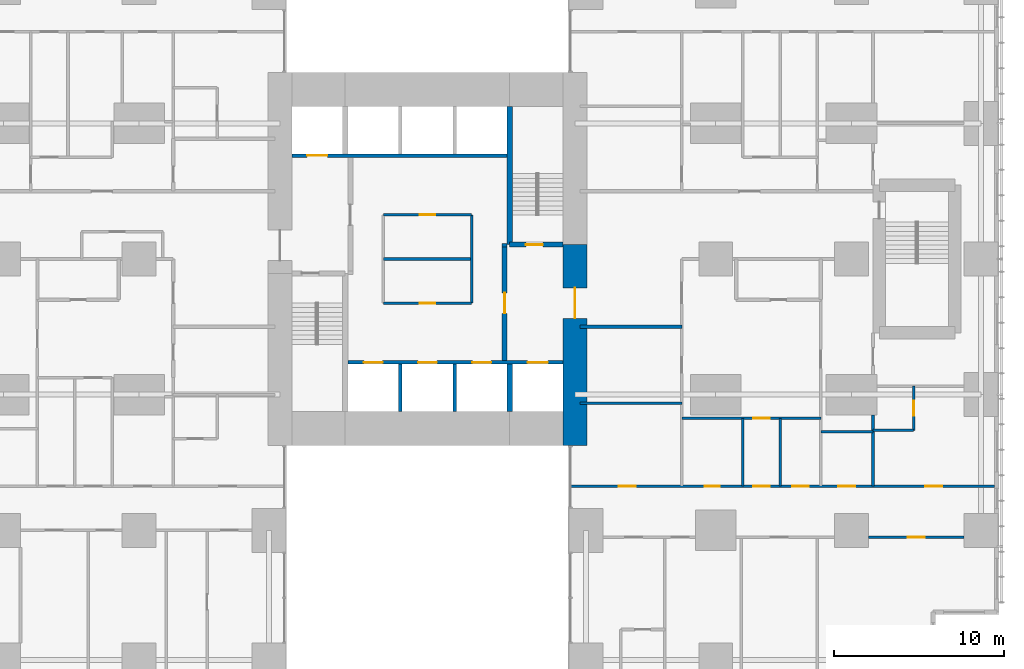
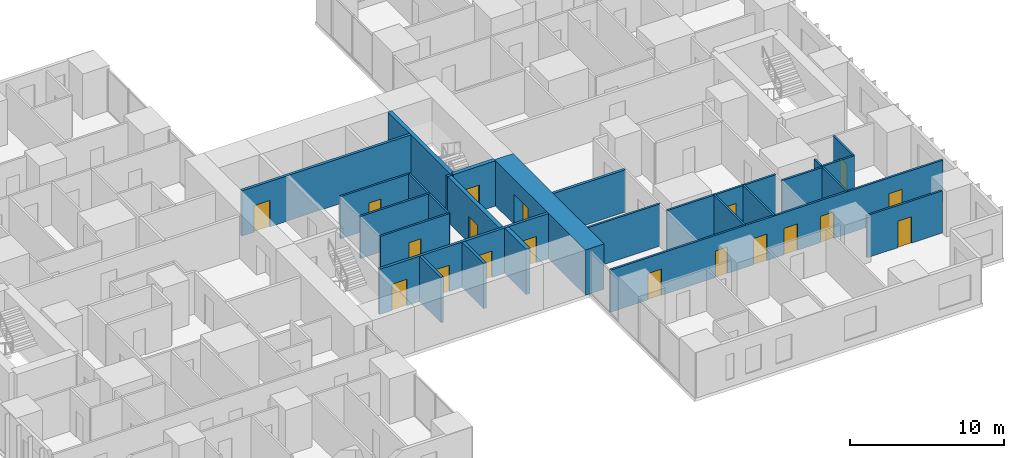
# One storey, part 15 of 20: 25 walls, 19 doors, 19 openings.
"""IFC4 building model written with IfcOpenShell, lengths in metres."""

from ifc_helpers import new_model, si_unit, direction, frame, frame_2d, origin, place, context, subcontext, project, spatial, rectangle, extrude, material, layer, layer_set, type_object, element, fill, save


model = new_model("IFC4")

# Units and contexts
model_context = context("Model", 3, precision=1e-05, world=origin(), true_north=direction((0.0, 1.0)))
body_context = subcontext(model_context, "Body", "Model", "MODEL_VIEW")
ifc_project = project(units=[si_unit("LENGTHUNIT", "METRE"), si_unit("AREAUNIT", "SQUARE_METRE"), si_unit("VOLUMEUNIT", "CUBIC_METRE"), si_unit("PLANEANGLEUNIT", "RADIAN"), si_unit("MASSUNIT", "GRAM", prefix="KILO")], contexts=[model_context])

# Site, building, storey
site_placement = place(None, origin())
site = spatial("IfcSite", under=ifc_project, at=site_placement, CompositionType="ELEMENT")
building_placement = place(site_placement, origin())
building = spatial("IfcBuilding", under=site, at=building_placement, Name="Cleftline Residences", CompositionType="ELEMENT")
storey_placement = place(building_placement, frame((0.0, 0.0, 40.39990234375)))
storey = spatial("IfcBuildingStorey", under=building, at=storey_placement, Name="L09", CompositionType="ELEMENT", Elevation=40.39990234375)

# Wall, opening, door
ifc_material_1 = material(Name="Concrete B70", Category="concrete")
ifc_layer_1 = layer(ifc_material_1, 1.39990234375)
ifc_layer_set_1 = layer_set([ifc_layer_1], Name="CORE WALL 1400")
wall_type_1 = type_object("IfcWallType", Name="CORE WALL 1400", PredefinedType="SHEAR", material=ifc_layer_set_1)
wall_1_placement = place(storey_placement, frame((41.699951171875, 13.0, 0.0), z_axis=(0.0, 0.0, 1.0), x_axis=(0.0, 1.0, 0.0)))
wall_1 = element("IfcWall", 1, at=wall_1_placement, inside=storey, type_object=wall_type_1, Name="Core wall E", PredefinedType="SHEAR", context=body_context, shape_type="SweptSolid", body=[
    extrude(rectangle(XDim=11.85009765625, YDim=1.39990234375, at=frame_2d((5.925048828125, 0.0))), origin(), (0.0, 0.0, 1.0), 3.60009765625),
])
opening_1_placement = place(wall_1_placement, frame((7.5, 0.0, 0.0)))
opening_1 = element("IfcOpeningElement", 2, at=opening_1_placement, cuts=wall_1, Name="Opening D7", PredefinedType="OPENING", context=body_context, shape_type="SweptSolid", body=[
    extrude(rectangle(XDim=1.800048828125, YDim=2.39990234375, at=frame_2d((0.89990234375, 1.199951171875))), frame((0.0, 0.7099609375, 0.0), z_axis=(0.0, -1.0, 0.0), x_axis=(1.0, 0.0, 0.0)), (0.0, 0.0, 1.0), 1.419921875),
])
ifc_material_2 = material(Name="Steel", Category="steel")
door_type_1 = type_object("IfcDoorType", Name="WING DOOR 1800X2400", OperationType="DOUBLE_DOOR_DOUBLE_SWING", PredefinedType="DOOR", material=ifc_material_2)
door_1_placement = place(opening_1_placement, origin())
door_1 = element("IfcDoor", 3, at=door_1_placement, inside=storey, type_object=door_type_1, Name="East wing door", OperationType="DOUBLE_DOOR_DOUBLE_SWING", OverallHeight=2.39990234375, OverallWidth=1.800048828125, PredefinedType="DOOR", context=body_context, shape_type="SweptSolid", body=[
    extrude(rectangle(XDim=1.800048828125, YDim=2.39990234375, at=frame_2d((0.89990234375, 1.199951171875))), frame((0.0, 0.02490234375, 0.0), z_axis=(0.0, -1.0, 0.0), x_axis=(1.0, 0.0, 0.0)), (0.0, 0.0, 1.0), 0.050048828125),
])
fill(opening_1, door_1)

# Wall
ifc_material_3 = material(Name="Concrete B70", Category="concrete")
ifc_layer_2 = layer(ifc_material_3, 0.300048828125)
ifc_layer_set_2 = layer_set([ifc_layer_2], Name="CORE WALL 300")
wall_type_2 = type_object("IfcWallType", Name="CORE WALL 300", PredefinedType="SHEAR", material=ifc_layer_set_2)
wall_2_placement = place(storey_placement, frame((37.85009765625, 24.85009765625, 0.0), z_axis=(0.0, 0.0, 1.0), x_axis=(0.0, 1.0, 0.0)))
element("IfcWall", 4, at=wall_2_placement, inside=storey, type_object=wall_type_2, Name="Core wall SB-W", PredefinedType="SHEAR", context=body_context, shape_type="SweptSolid", body=[
    extrude(rectangle(XDim=8.14990234375, YDim=0.300048828125, at=frame_2d((4.074951171875, 0.0))), origin(), (0.0, 0.0, 1.0), 3.60009765625),
])

# Wall, opening, door
wall_3_placement = place(storey_placement, frame((37.85009765625, 24.85009765625, 0.0), z_axis=(0.0, 0.0, 1.0), x_axis=(1.0, 0.0, 0.0)))
wall_3 = element("IfcWall", 5, at=wall_3_placement, inside=storey, type_object=wall_type_2, Name="Core wall SB-S", PredefinedType="SHEAR", context=body_context, shape_type="SweptSolid", body=[
    extrude(rectangle(XDim=3.14990234375, YDim=0.300048828125, at=frame_2d((1.574951171875, 0.0))), origin(), (0.0, 0.0, 1.0), 3.60009765625),
])
opening_2_placement = place(wall_3_placement, frame((0.949951171875, 0.0, 0.0)))
opening_2 = element("IfcOpeningElement", 6, at=opening_2_placement, cuts=wall_3, Name="Opening D5", PredefinedType="OPENING", context=body_context, shape_type="SweptSolid", body=[
    extrude(rectangle(XDim=1.0, YDim=2.10009765625, at=frame_2d((0.5, 1.050048828125))), frame((0.0, 0.159912109375, 0.0), z_axis=(0.0, -1.0, 0.0), x_axis=(1.0, 0.0, 0.0)), (0.0, 0.0, 1.0), 0.320068359375),
])
ifc_material_4 = material(Name="Steel", Category="steel")
door_type_2 = type_object("IfcDoorType", Name="STAIR DOOR 1000X2100", OperationType="SINGLE_SWING_LEFT", PredefinedType="DOOR", material=ifc_material_4)
door_2_placement = place(opening_2_placement, origin())
door_2 = element("IfcDoor", 7, at=door_2_placement, inside=storey, type_object=door_type_2, Name="Stair B door", OperationType="SINGLE_SWING_RIGHT", OverallHeight=2.10009765625, OverallWidth=1.0, PredefinedType="DOOR", context=body_context, shape_type="SweptSolid", body=[
    extrude(rectangle(XDim=1.0, YDim=2.10009765625, at=frame_2d((0.5, 1.050048828125))), frame((0.0, 0.02490234375, 0.0), z_axis=(0.0, -1.0, 0.0), x_axis=(1.0, 0.0, 0.0)), (0.0, 0.0, 1.0), 0.050048828125),
])
fill(opening_2, door_2)

# Walls
wall_4_placement = place(storey_placement, frame((37.85009765625, 15.0, 0.0), z_axis=(0.0, 0.0, 1.0), x_axis=(0.0, 1.0, 0.0)))
element("IfcWall", 8, at=wall_4_placement, inside=storey, type_object=wall_type_2, Name="Lift shaft wall", PredefinedType="SHEAR", context=body_context, shape_type="SweptSolid", body=[
    extrude(rectangle(XDim=2.800048828125, YDim=0.300048828125, at=frame_2d((1.39990234375, 0.0))), origin(), (0.0, 0.0, 1.0), 3.60009765625),
])
ifc_material_5 = material(Name="Concrete blockwork, fire rated", Category="masonry")
ifc_layer_3 = layer(ifc_material_5, 0.199951171875)
ifc_layer_set_3 = layer_set([ifc_layer_3], Name="FIRE WALL 200")
wall_type_3 = type_object("IfcWallType", Name="FIRE WALL 200", PredefinedType="PARTITIONING", material=ifc_layer_set_3)
wall_5_placement = place(storey_placement, frame((42.0, 20.0, 0.0), z_axis=(0.0, 0.0, 1.0), x_axis=(1.0, 0.0, 0.0)))
element("IfcWall", 9, at=wall_5_placement, inside=storey, type_object=wall_type_3, Name="Fire separating wall", PredefinedType="PARTITIONING", context=body_context, shape_type="SweptSolid", body=[
    extrude(rectangle(XDim=6.0, YDim=0.199951171875, at=frame_2d((3.0, 0.0))), origin(), (0.0, 0.0, 1.0), 3.35009765625),
])
wall_6_placement = place(storey_placement, frame((37.39990234375, 24.800048828125, 0.0), z_axis=(0.0, 0.0, 1.0), x_axis=(1.0, 0.0, 0.0)))
element("IfcWall", 10, at=wall_6_placement, inside=storey, type_object=wall_type_3, Name="Fire separating wall", PredefinedType="PARTITIONING", context=body_context, shape_type="SweptSolid", body=[
    extrude(rectangle(XDim=0.300048828125, YDim=0.199951171875, at=frame_2d((0.14990234375, 0.0))), origin(), (0.0, 0.0, 1.0), 3.60009765625),
])

# Wall, opening, door
ifc_material_6 = material(Name="Gypsum board on steel studs", Category="steel")
ifc_layer_4 = layer(ifc_material_6, 0.14990234375)
ifc_layer_set_4 = layer_set([ifc_layer_4], Name="PARTITION 150")
wall_type_4 = type_object("IfcWallType", Name="PARTITION 150", PredefinedType="PARTITIONING", material=ifc_layer_set_4)
wall_7_placement = place(storey_placement, frame((59.0, 7.60009765625, 0.0), z_axis=(0.0, 0.0, 1.0), x_axis=(1.0, 0.0, 0.0)))
wall_7 = element("IfcWall", 11, at=wall_7_placement, inside=storey, type_object=wall_type_4, Name="Partition", PredefinedType="PARTITIONING", context=body_context, shape_type="SweptSolid", body=[
    extrude(rectangle(XDim=5.64990234375, YDim=0.14990234375, at=frame_2d((2.824951171875, 0.0))), origin(), (0.0, 0.0, 1.0), 3.35009765625),
])
opening_3_placement = place(wall_7_placement, frame((2.324951171875, 0.0, 0.0)))
opening_3 = element("IfcOpeningElement", 12, at=opening_3_placement, cuts=wall_7, Name="Opening D2", PredefinedType="OPENING", context=body_context, shape_type="SweptSolid", body=[
    extrude(rectangle(XDim=1.0, YDim=2.10009765625, at=frame_2d((0.5, 1.050048828125))), frame((0.0, 0.0849609375, 0.0), z_axis=(0.0, -1.0, 0.0), x_axis=(1.0, 0.0, 0.0)), (0.0, 0.0, 1.0), 0.169921875),
])
ifc_material_7 = material(Name="Timber veneer on solid core", Category="wood")
door_type_3 = type_object("IfcDoorType", Name="DOOR 1000X2100", OperationType="SINGLE_SWING_LEFT", PredefinedType="DOOR", material=ifc_material_7)
door_3_placement = place(opening_3_placement, origin())
door_3 = element("IfcDoor", 13, at=door_3_placement, inside=storey, type_object=door_type_3, Name="Door to sea-view lounge", OperationType="SINGLE_SWING_LEFT", OverallHeight=2.10009765625, OverallWidth=1.0, PredefinedType="DOOR", context=body_context, shape_type="SweptSolid", body=[
    extrude(rectangle(XDim=1.0, YDim=2.10009765625, at=frame_2d((0.5, 1.050048828125))), frame((0.0, 0.02490234375, 0.0), z_axis=(0.0, -1.0, 0.0), x_axis=(1.0, 0.0, 0.0)), (0.0, 0.0, 1.0), 0.050048828125),
])
fill(opening_3, door_3)

# Wall, openings, doors
wall_8_placement = place(storey_placement, frame((41.43896484375, 10.60009765625, 0.0), z_axis=(0.0, 0.0, 1.0), x_axis=(1.0, 0.0, 0.0)))
wall_8 = element("IfcWall", 14, at=wall_8_placement, inside=storey, type_object=wall_type_4, Name="Partition", PredefinedType="PARTITIONING", context=body_context, shape_type="SweptSolid", body=[
    extrude(rectangle(XDim=25.010986328125, YDim=0.14990234375, at=frame_2d((12.50537109375, 0.0))), origin(), (0.0, 0.0, 1.0), 3.35009765625),
])
opening_4_placement = place(wall_8_placement, frame((10.760986328125, 0.0, 0.0)))
opening_4 = element("IfcOpeningElement", 15, at=opening_4_placement, cuts=wall_8, Name="Opening D2", PredefinedType="OPENING", context=body_context, shape_type="SweptSolid", body=[
    extrude(rectangle(XDim=1.0, YDim=2.10009765625, at=frame_2d((0.5, 1.050048828125))), frame((0.0, 0.0849609375, 0.0), z_axis=(0.0, -1.0, 0.0), x_axis=(1.0, 0.0, 0.0)), (0.0, 0.0, 1.0), 0.169921875),
])
opening_5_placement = place(wall_8_placement, frame((20.923583984375, 0.0, 0.0)))
opening_5 = element("IfcOpeningElement", 16, at=opening_5_placement, cuts=wall_8, Name="Opening D2", PredefinedType="OPENING", context=body_context, shape_type="SweptSolid", body=[
    extrude(rectangle(XDim=1.0, YDim=2.10009765625, at=frame_2d((0.5, 1.050048828125))), frame((0.0, 0.0849609375, 0.0), z_axis=(0.0, -1.0, 0.0), x_axis=(1.0, 0.0, 0.0)), (0.0, 0.0, 1.0), 0.169921875),
])
opening_6_placement = place(wall_8_placement, frame((15.798583984375, 0.0, 0.0)))
opening_6 = element("IfcOpeningElement", 17, at=opening_6_placement, cuts=wall_8, Name="Opening D2", PredefinedType="OPENING", context=body_context, shape_type="SweptSolid", body=[
    extrude(rectangle(XDim=1.0, YDim=2.10009765625, at=frame_2d((0.5, 1.050048828125))), frame((0.0, 0.0849609375, 0.0), z_axis=(0.0, -1.0, 0.0), x_axis=(1.0, 0.0, 0.0)), (0.0, 0.0, 1.0), 0.169921875),
])
opening_7_placement = place(wall_8_placement, frame((13.06103515625, 0.0, 0.0)))
opening_7 = element("IfcOpeningElement", 18, at=opening_7_placement, cuts=wall_8, Name="Opening D2", PredefinedType="OPENING", context=body_context, shape_type="SweptSolid", body=[
    extrude(rectangle(XDim=1.0, YDim=2.10009765625, at=frame_2d((0.5, 1.050048828125))), frame((0.0, 0.0849609375, 0.0), z_axis=(0.0, -1.0, 0.0), x_axis=(1.0, 0.0, 0.0)), (0.0, 0.0, 1.0), 0.169921875),
])
opening_8_placement = place(wall_8_placement, frame((7.910888671875, 0.0, 0.0)))
opening_8 = element("IfcOpeningElement", 19, at=opening_8_placement, cuts=wall_8, Name="Opening D1", PredefinedType="OPENING", context=body_context, shape_type="SweptSolid", body=[
    extrude(rectangle(XDim=0.89990234375, YDim=2.10009765625, at=frame_2d((0.449951171875, 1.050048828125))), frame((0.0, 0.0849609375, 0.0), z_axis=(0.0, -1.0, 0.0), x_axis=(1.0, 0.0, 0.0)), (0.0, 0.0, 1.0), 0.169921875),
])
opening_9_placement = place(wall_8_placement, frame((2.8359375, 0.0, 0.0)))
opening_9 = element("IfcOpeningElement", 20, at=opening_9_placement, cuts=wall_8, Name="Opening D2", PredefinedType="OPENING", context=body_context, shape_type="SweptSolid", body=[
    extrude(rectangle(XDim=1.0, YDim=2.10009765625, at=frame_2d((0.5, 1.050048828125))), frame((0.0, 0.0849609375, 0.0), z_axis=(0.0, -1.0, 0.0), x_axis=(1.0, 0.0, 0.0)), (0.0, 0.0, 1.0), 0.169921875),
])
door_4_placement = place(opening_4_placement, origin())
door_4 = element("IfcDoor", 21, at=door_4_placement, inside=storey, type_object=door_type_3, Name="Door to residence hall", OperationType="SINGLE_SWING_RIGHT", OverallHeight=2.10009765625, OverallWidth=1.0, PredefinedType="DOOR", context=body_context, shape_type="SweptSolid", body=[
    extrude(rectangle(XDim=1.0, YDim=2.10009765625, at=frame_2d((0.5, 1.050048828125))), frame((0.0, 0.02490234375, 0.0), z_axis=(0.0, -1.0, 0.0), x_axis=(1.0, 0.0, 0.0)), (0.0, 0.0, 1.0), 0.050048828125),
])
fill(opening_4, door_4)
door_5_placement = place(opening_5_placement, origin())
door_5 = element("IfcDoor", 22, at=door_5_placement, inside=storey, type_object=door_type_3, Name="Door to master bedroom", OperationType="SINGLE_SWING_LEFT", OverallHeight=2.10009765625, OverallWidth=1.0, PredefinedType="DOOR", context=body_context, shape_type="SweptSolid", body=[
    extrude(rectangle(XDim=1.0, YDim=2.10009765625, at=frame_2d((0.5, 1.050048828125))), frame((0.0, 0.02490234375, 0.0), z_axis=(0.0, -1.0, 0.0), x_axis=(1.0, 0.0, 0.0)), (0.0, 0.0, 1.0), 0.050048828125),
])
fill(opening_5, door_5)
door_6_placement = place(opening_6_placement, origin())
door_6 = element("IfcDoor", 23, at=door_6_placement, inside=storey, type_object=door_type_3, Name="Door to wet kitchen", OperationType="SINGLE_SWING_LEFT", OverallHeight=2.10009765625, OverallWidth=1.0, PredefinedType="DOOR", context=body_context, shape_type="SweptSolid", body=[
    extrude(rectangle(XDim=1.0, YDim=2.10009765625, at=frame_2d((0.5, 1.050048828125))), frame((0.0, 0.02490234375, 0.0), z_axis=(0.0, -1.0, 0.0), x_axis=(1.0, 0.0, 0.0)), (0.0, 0.0, 1.0), 0.050048828125),
])
fill(opening_6, door_6)
door_7_placement = place(opening_7_placement, origin())
door_7 = element("IfcDoor", 24, at=door_7_placement, inside=storey, type_object=door_type_3, Name="Door to media room", OperationType="SINGLE_SWING_LEFT", OverallHeight=2.10009765625, OverallWidth=1.0, PredefinedType="DOOR", context=body_context, shape_type="SweptSolid", body=[
    extrude(rectangle(XDim=1.0, YDim=2.10009765625, at=frame_2d((0.5, 1.050048828125))), frame((0.0, 0.02490234375, 0.0), z_axis=(0.0, -1.0, 0.0), x_axis=(1.0, 0.0, 0.0)), (0.0, 0.0, 1.0), 0.050048828125),
])
fill(opening_7, door_7)
door_8_placement = place(opening_9_placement, origin())
door_8 = element("IfcDoor", 25, at=door_8_placement, inside=storey, type_object=door_type_3, Name="Door to study", OperationType="SINGLE_SWING_RIGHT", OverallHeight=2.10009765625, OverallWidth=1.0, PredefinedType="DOOR", context=body_context, shape_type="SweptSolid", body=[
    extrude(rectangle(XDim=1.0, YDim=2.10009765625, at=frame_2d((0.5, 1.050048828125))), frame((0.0, 0.02490234375, 0.0), z_axis=(0.0, -1.0, 0.0), x_axis=(1.0, 0.0, 0.0)), (0.0, 0.0, 1.0), 0.050048828125),
])
fill(opening_9, door_8)
ifc_material_8 = material(Name="Timber veneer on solid core", Category="wood")
door_type_4 = type_object("IfcDoorType", Name="DOOR 900X2100", OperationType="SINGLE_SWING_LEFT", PredefinedType="DOOR", material=ifc_material_8)
door_9_placement = place(opening_8_placement, origin())
door_9 = element("IfcDoor", 26, at=door_9_placement, inside=storey, type_object=door_type_4, Name="Door to bedroom 2 bathroom", OperationType="SINGLE_SWING_RIGHT", OverallHeight=2.10009765625, OverallWidth=0.89990234375, PredefinedType="DOOR", context=body_context, shape_type="SweptSolid", body=[
    extrude(rectangle(XDim=0.89990234375, YDim=2.10009765625, at=frame_2d((0.449951171875, 1.050048828125))), frame((0.0, 0.02490234375, 0.0), z_axis=(0.0, -1.0, 0.0), x_axis=(1.0, 0.0, 0.0)), (0.0, 0.0, 1.0), 0.050048828125),
])
fill(opening_8, door_9)

# Walls
wall_9_placement = place(storey_placement, frame((56.199951171875, 13.800048828125, 0.0), z_axis=(0.0, 0.0, 1.0), x_axis=(1.0, 0.0, 0.0)))
element("IfcWall", 27, at=wall_9_placement, inside=storey, type_object=wall_type_4, Name="Partition", PredefinedType="PARTITIONING", context=body_context, shape_type="SweptSolid", body=[
    extrude(rectangle(XDim=3.074951171875, YDim=0.14990234375, at=frame_2d((1.53759765625, 0.0))), origin(), (0.0, 0.0, 1.0), 3.35009765625),
])
wall_10_placement = place(storey_placement, frame((59.27490234375, 13.89990234375, 0.0), z_axis=(0.0, 0.0, 1.0), x_axis=(1.0, 0.0, 0.0)))
element("IfcWall", 28, at=wall_10_placement, inside=storey, type_object=wall_type_4, Name="Partition", PredefinedType="PARTITIONING", context=body_context, shape_type="SweptSolid", body=[
    extrude(rectangle(XDim=2.400146484375, YDim=0.14990234375, at=frame_2d((1.2001953125, 0.0))), origin(), (0.0, 0.0, 1.0), 3.35009765625),
])

# Wall, opening, door
wall_11_placement = place(storey_placement, frame((48.0, 14.60009765625, 0.0), z_axis=(0.0, 0.0, 1.0), x_axis=(1.0, 0.0, 0.0)))
wall_11 = element("IfcWall", 29, at=wall_11_placement, inside=storey, type_object=wall_type_4, Name="Partition", PredefinedType="PARTITIONING", context=body_context, shape_type="SweptSolid", body=[
    extrude(rectangle(XDim=8.199951171875, YDim=0.14990234375, at=frame_2d((4.10009765625, 0.0))), origin(), (0.0, 0.0, 1.0), 3.35009765625),
])
opening_10_placement = place(wall_11_placement, frame((4.199951171875, 0.0, 0.0)))
opening_10 = element("IfcOpeningElement", 30, at=opening_10_placement, cuts=wall_11, Name="Opening D2", PredefinedType="OPENING", context=body_context, shape_type="SweptSolid", body=[
    extrude(rectangle(XDim=1.0, YDim=2.10009765625, at=frame_2d((0.5, 1.050048828125))), frame((0.0, 0.0849609375, 0.0), z_axis=(0.0, -1.0, 0.0), x_axis=(1.0, 0.0, 0.0)), (0.0, 0.0, 1.0), 0.169921875),
])
door_10_placement = place(opening_10_placement, origin())
door_10 = element("IfcDoor", 31, at=door_10_placement, inside=storey, type_object=door_type_3, Name="Door to residence passage", OperationType="SINGLE_SWING_LEFT", OverallHeight=2.10009765625, OverallWidth=1.0, PredefinedType="DOOR", context=body_context, shape_type="SweptSolid", body=[
    extrude(rectangle(XDim=1.0, YDim=2.10009765625, at=frame_2d((0.5, 1.050048828125))), frame((0.0, 0.02490234375, 0.0), z_axis=(0.0, -1.0, 0.0), x_axis=(1.0, 0.0, 0.0)), (0.0, 0.0, 1.0), 0.050048828125),
])
fill(opening_10, door_10)

# Walls
wall_12_placement = place(storey_placement, frame((42.0, 15.5, 0.0), z_axis=(0.0, 0.0, 1.0), x_axis=(1.0, 0.0, 0.0)))
element("IfcWall", 32, at=wall_12_placement, inside=storey, type_object=wall_type_4, Name="Partition", PredefinedType="PARTITIONING", context=body_context, shape_type="SweptSolid", body=[
    extrude(rectangle(XDim=6.0, YDim=0.14990234375, at=frame_2d((3.0, 0.0))), origin(), (0.0, 0.0, 1.0), 3.35009765625),
])
for number, where, z_axis, x_axis, name in (
    (33, (51.60009765625, 10.60009765625, 0.0), (0.0, 0.0, 1.0), (0.0, 1.0, 0.0), "Partition"),
    (34, (53.800048828125, 10.60009765625, 0.0), (0.0, 0.0, 1.0), (0.0, 1.0, 0.0), "Partition"),
):
    element("IfcWall", number, at=place(storey_placement, frame(where, z_axis=z_axis, x_axis=x_axis)), inside=storey, type_object=wall_type_4, Name=name, PredefinedType="PARTITIONING", context=body_context, shape_type="SweptSolid", body=[
        extrude(rectangle(XDim=4.0, YDim=0.14990234375, at=frame_2d((2.0, 0.0))), origin(), (0.0, 0.0, 1.0), 3.35009765625),
    ])
wall_13_placement = place(storey_placement, frame((59.27490234375, 10.60009765625, 0.0), z_axis=(0.0, 0.0, 1.0), x_axis=(0.0, 1.0, 0.0)))
element("IfcWall", 35, at=wall_13_placement, inside=storey, type_object=wall_type_4, Name="Partition", PredefinedType="PARTITIONING", context=body_context, shape_type="SweptSolid", body=[
    extrude(rectangle(XDim=4.199951171875, YDim=0.14990234375, at=frame_2d((2.10009765625, 0.0))), origin(), (0.0, 0.0, 1.0), 3.35009765625),
])

# Wall, opening, door
wall_14_placement = place(storey_placement, frame((61.675048828125, 13.89990234375, 0.0), z_axis=(0.0, 0.0, 1.0), x_axis=(0.0, 1.0, 0.0)))
wall_14 = element("IfcWall", 36, at=wall_14_placement, inside=storey, type_object=wall_type_4, Name="Partition", PredefinedType="PARTITIONING", context=body_context, shape_type="SweptSolid", body=[
    extrude(rectangle(XDim=2.60009765625, YDim=0.14990234375, at=frame_2d((1.300048828125, 0.0))), origin(), (0.0, 0.0, 1.0), 3.35009765625),
])
opening_11_placement = place(wall_14_placement, frame((0.85009765625, 0.0, 0.0)))
opening_11 = element("IfcOpeningElement", 37, at=opening_11_placement, cuts=wall_14, Name="Opening D1", PredefinedType="OPENING", context=body_context, shape_type="SweptSolid", body=[
    extrude(rectangle(XDim=0.89990234375, YDim=2.10009765625, at=frame_2d((0.449951171875, 1.050048828125))), frame((0.0, 0.0849609375, 0.0), z_axis=(0.0, -1.0, 0.0), x_axis=(1.0, 0.0, 0.0)), (0.0, 0.0, 1.0), 0.169921875),
])
door_11_placement = place(opening_11_placement, origin())
door_11 = element("IfcDoor", 38, at=door_11_placement, inside=storey, type_object=door_type_4, Name="Door to master bathroom", OperationType="SINGLE_SWING_LEFT", OverallHeight=2.10009765625, OverallWidth=0.89990234375, PredefinedType="DOOR", context=body_context, shape_type="SweptSolid", body=[
    extrude(rectangle(XDim=0.89990234375, YDim=2.10009765625, at=frame_2d((0.449951171875, 1.050048828125))), frame((0.0, 0.02490234375, 0.0), z_axis=(0.0, -1.0, 0.0), x_axis=(1.0, 0.0, 0.0)), (0.0, 0.0, 1.0), 0.050048828125),
])
fill(opening_11, door_11)

ifc_material_9 = material(Name="Fire-resisting gypsum board on steel studs", Category="steel")
ifc_layer_5 = layer(ifc_material_9, 0.14990234375)
ifc_layer_set_5 = layer_set([ifc_layer_5], Name="PARTITION 150 EI 60")
wall_type_5 = type_object("IfcWallType", Name="PARTITION 150 EI 60", PredefinedType="PARTITIONING", material=ifc_layer_set_5)
wall_15_placement = place(storey_placement, frame((30.39990234375, 21.39990234375, 0.0), z_axis=(0.0, 0.0, 1.0), x_axis=(1.0, 0.0, 0.0)))
wall_15 = element("IfcWall", 39, at=wall_15_placement, inside=storey, type_object=wall_type_5, Name="Core room partition", PredefinedType="PARTITIONING", context=body_context, shape_type="SweptSolid", body=[
    extrude(rectangle(XDim=5.2001953125, YDim=0.14990234375, at=frame_2d((2.60009765625, 0.0))), origin(), (0.0, 0.0, 1.0), 3.35009765625),
])
opening_12_placement = place(wall_15_placement, frame((2.14990234375, 0.0, 0.0)))
opening_12 = element("IfcOpeningElement", 40, at=opening_12_placement, cuts=wall_15, Name="Opening D1F30", PredefinedType="OPENING", context=body_context, shape_type="SweptSolid", body=[
    extrude(rectangle(XDim=0.89990234375, YDim=2.10009765625, at=frame_2d((0.449951171875, 1.050048828125))), frame((0.0, 0.0849609375, 0.0), z_axis=(0.0, -1.0, 0.0), x_axis=(1.0, 0.0, 0.0)), (0.0, 0.0, 1.0), 0.169921875),
])
ifc_material_10 = material(Name="Timber veneer on solid core", Category="wood")
door_type_5 = type_object("IfcDoorType", Name="DOOR 900X2100 EI 30", OperationType="SINGLE_SWING_LEFT", PredefinedType="DOOR", material=ifc_material_10)
door_12_placement = place(opening_12_placement, origin())
door_12 = element("IfcDoor", 41, at=door_12_placement, inside=storey, type_object=door_type_5, Name="Door to maintenance store", OperationType="SINGLE_SWING_LEFT", OverallHeight=2.10009765625, OverallWidth=0.89990234375, PredefinedType="DOOR", context=body_context, shape_type="SweptSolid", body=[
    extrude(rectangle(XDim=0.89990234375, YDim=2.10009765625, at=frame_2d((0.449951171875, 1.050048828125))), frame((0.0, 0.02490234375, 0.0), z_axis=(0.0, -1.0, 0.0), x_axis=(1.0, 0.0, 0.0)), (0.0, 0.0, 1.0), 0.050048828125),
])
fill(opening_12, door_12)

wall_16_placement = place(storey_placement, frame((30.39990234375, 26.60009765625, 0.0), z_axis=(0.0, 0.0, 1.0), x_axis=(1.0, 0.0, 0.0)))
wall_16 = element("IfcWall", 42, at=wall_16_placement, inside=storey, type_object=wall_type_5, Name="Core room partition", PredefinedType="PARTITIONING", context=body_context, shape_type="SweptSolid", body=[
    extrude(rectangle(XDim=5.2001953125, YDim=0.14990234375, at=frame_2d((2.60009765625, 0.0))), origin(), (0.0, 0.0, 1.0), 3.35009765625),
])
opening_13_placement = place(wall_16_placement, frame((2.14990234375, 0.0, 0.0)))
opening_13 = element("IfcOpeningElement", 43, at=opening_13_placement, cuts=wall_16, Name="Opening D1F30", PredefinedType="OPENING", context=body_context, shape_type="SweptSolid", body=[
    extrude(rectangle(XDim=0.89990234375, YDim=2.10009765625, at=frame_2d((0.449951171875, 1.050048828125))), frame((0.0, 0.0849609375, 0.0), z_axis=(0.0, -1.0, 0.0), x_axis=(1.0, 0.0, 0.0)), (0.0, 0.0, 1.0), 0.169921875),
])
door_13_placement = place(opening_13_placement, origin())
door_13 = element("IfcDoor", 44, at=door_13_placement, inside=storey, type_object=door_type_5, Name="Door to housekeeping pantry", OperationType="SINGLE_SWING_LEFT", OverallHeight=2.10009765625, OverallWidth=0.89990234375, PredefinedType="DOOR", context=body_context, shape_type="SweptSolid", body=[
    extrude(rectangle(XDim=0.89990234375, YDim=2.10009765625, at=frame_2d((0.449951171875, 1.050048828125))), frame((0.0, 0.02490234375, 0.0), z_axis=(0.0, -1.0, 0.0), x_axis=(1.0, 0.0, 0.0)), (0.0, 0.0, 1.0), 0.050048828125),
])
fill(opening_13, door_13)

# Walls
for number, where, z_axis, x_axis, name in (
    (45, (35.60009765625, 21.39990234375, 0.0), (0.0, 0.0, 1.0), (0.0, 1.0, 0.0), "Core room partition"),
    (46, (30.39990234375, 24.0, 0.0), (0.0, 0.0, 1.0), (1.0, 0.0, 0.0), "Core room partition"),
):
    element("IfcWall", number, at=place(storey_placement, frame(where, z_axis=z_axis, x_axis=x_axis)), inside=storey, type_object=wall_type_5, Name=name, PredefinedType="PARTITIONING", context=body_context, shape_type="SweptSolid", body=[
        extrude(rectangle(XDim=5.2001953125, YDim=0.14990234375, at=frame_2d((2.60009765625, 0.0))), origin(), (0.0, 0.0, 1.0), 3.35009765625),
    ])

# Wall, openings, doors
ifc_material_11 = material(Name="Concrete blockwork, fire rated", Category="masonry")
ifc_layer_6 = layer(ifc_material_11, 0.199951171875)
ifc_layer_set_6 = layer_set([ifc_layer_6], Name="SHAFT WALL 200")
wall_type_6 = type_object("IfcWallType", Name="SHAFT WALL 200", PredefinedType="PARTITIONING", material=ifc_layer_set_6)
wall_17_placement = place(storey_placement, frame((28.300048828125, 17.89990234375, 0.0), z_axis=(0.0, 0.0, 1.0), x_axis=(1.0, 0.0, 0.0)))
wall_17 = element("IfcWall", 47, at=wall_17_placement, inside=storey, type_object=wall_type_6, Name="Lift shaft wall", PredefinedType="PARTITIONING", context=body_context, shape_type="SweptSolid", body=[
    extrude(rectangle(XDim=12.699951171875, YDim=0.199951171875, at=frame_2d((6.35009765625, 0.0))), origin(), (0.0, 0.0, 1.0), 3.60009765625),
])
opening_14_placement = place(wall_17_placement, frame((0.949951171875, 0.0, 0.0)))
opening_14 = element("IfcOpeningElement", 48, at=opening_14_placement, cuts=wall_17, Name="Opening LD1", PredefinedType="OPENING", context=body_context, shape_type="SweptSolid", body=[
    extrude(rectangle(XDim=1.10009765625, YDim=2.10009765625, at=frame_2d((0.550048828125, 1.050048828125))), frame((0.0, 0.10986328125, 0.0), z_axis=(0.0, -1.0, 0.0), x_axis=(1.0, 0.0, 0.0)), (0.0, 0.0, 1.0), 0.219970703125),
])
opening_15_placement = place(wall_17_placement, frame((4.14990234375, 0.0, 0.0)))
opening_15 = element("IfcOpeningElement", 49, at=opening_15_placement, cuts=wall_17, Name="Opening LD1", PredefinedType="OPENING", context=body_context, shape_type="SweptSolid", body=[
    extrude(rectangle(XDim=1.10009765625, YDim=2.10009765625, at=frame_2d((0.550048828125, 1.050048828125))), frame((0.0, 0.10986328125, 0.0), z_axis=(0.0, -1.0, 0.0), x_axis=(1.0, 0.0, 0.0)), (0.0, 0.0, 1.0), 0.219970703125),
])
opening_16_placement = place(wall_17_placement, frame((7.35009765625, 0.0, 0.0)))
opening_16 = element("IfcOpeningElement", 50, at=opening_16_placement, cuts=wall_17, Name="Opening LD1", PredefinedType="OPENING", context=body_context, shape_type="SweptSolid", body=[
    extrude(rectangle(XDim=1.10009765625, YDim=2.10009765625, at=frame_2d((0.550048828125, 1.050048828125))), frame((0.0, 0.10986328125, 0.0), z_axis=(0.0, -1.0, 0.0), x_axis=(1.0, 0.0, 0.0)), (0.0, 0.0, 1.0), 0.219970703125),
])
opening_17_placement = place(wall_17_placement, frame((10.60009765625, 0.0, 0.0)))
opening_17 = element("IfcOpeningElement", 51, at=opening_17_placement, cuts=wall_17, Name="Opening LD2", PredefinedType="OPENING", context=body_context, shape_type="SweptSolid", body=[
    extrude(rectangle(XDim=1.199951171875, YDim=2.10009765625, at=frame_2d((0.60009765625, 1.050048828125))), frame((0.0, 0.10986328125, 0.0), z_axis=(0.0, -1.0, 0.0), x_axis=(1.0, 0.0, 0.0)), (0.0, 0.0, 1.0), 0.219970703125),
])
ifc_material_12 = material(Name="Steel", Category="steel")
door_type_6 = type_object("IfcDoorType", Name="FIREFIGHTING LIFT LANDING DOOR 1200X2100", OperationType="SLIDING_TO_LEFT", PredefinedType="DOOR", material=ifc_material_12)
door_14_placement = place(opening_17_placement, origin())
door_14 = element("IfcDoor", 52, at=door_14_placement, inside=storey, type_object=door_type_6, Name="Lift FL2 landing door", OperationType="SLIDING_TO_LEFT", OverallHeight=2.10009765625, OverallWidth=1.199951171875, PredefinedType="DOOR", context=body_context, shape_type="SweptSolid", body=[
    extrude(rectangle(XDim=1.199951171875, YDim=2.10009765625, at=frame_2d((0.60009765625, 1.050048828125))), frame((0.0, 0.02490234375, 0.0), z_axis=(0.0, -1.0, 0.0), x_axis=(1.0, 0.0, 0.0)), (0.0, 0.0, 1.0), 0.050048828125),
])
fill(opening_17, door_14)
ifc_material_13 = material(Name="Steel", Category="steel")
door_type_7 = type_object("IfcDoorType", Name="LIFT LANDING DOOR 1100X2100", OperationType="SLIDING_TO_LEFT", PredefinedType="DOOR", material=ifc_material_13)
door_15_placement = place(opening_14_placement, origin())
door_15 = element("IfcDoor", 53, at=door_15_placement, inside=storey, type_object=door_type_7, Name="Lift P1 landing door", OperationType="SLIDING_TO_LEFT", OverallHeight=2.10009765625, OverallWidth=1.10009765625, PredefinedType="DOOR", context=body_context, shape_type="SweptSolid", body=[
    extrude(rectangle(XDim=1.10009765625, YDim=2.10009765625, at=frame_2d((0.550048828125, 1.050048828125))), frame((0.0, 0.02490234375, 0.0), z_axis=(0.0, -1.0, 0.0), x_axis=(1.0, 0.0, 0.0)), (0.0, 0.0, 1.0), 0.050048828125),
])
fill(opening_14, door_15)
door_16_placement = place(opening_15_placement, origin())
door_16 = element("IfcDoor", 54, at=door_16_placement, inside=storey, type_object=door_type_7, Name="Lift P2 landing door", OperationType="SLIDING_TO_LEFT", OverallHeight=2.10009765625, OverallWidth=1.10009765625, PredefinedType="DOOR", context=body_context, shape_type="SweptSolid", body=[
    extrude(rectangle(XDim=1.10009765625, YDim=2.10009765625, at=frame_2d((0.550048828125, 1.050048828125))), frame((0.0, 0.02490234375, 0.0), z_axis=(0.0, -1.0, 0.0), x_axis=(1.0, 0.0, 0.0)), (0.0, 0.0, 1.0), 0.050048828125),
])
fill(opening_15, door_16)
door_17_placement = place(opening_16_placement, origin())
door_17 = element("IfcDoor", 55, at=door_17_placement, inside=storey, type_object=door_type_7, Name="Lift P3 landing door", OperationType="SLIDING_TO_LEFT", OverallHeight=2.10009765625, OverallWidth=1.10009765625, PredefinedType="DOOR", context=body_context, shape_type="SweptSolid", body=[
    extrude(rectangle(XDim=1.10009765625, YDim=2.10009765625, at=frame_2d((0.550048828125, 1.050048828125))), frame((0.0, 0.02490234375, 0.0), z_axis=(0.0, -1.0, 0.0), x_axis=(1.0, 0.0, 0.0)), (0.0, 0.0, 1.0), 0.050048828125),
])
fill(opening_16, door_17)

# Wall, opening, door
wall_18_placement = place(storey_placement, frame((25.0, 30.10009765625, 0.0), z_axis=(0.0, 0.0, 1.0), x_axis=(1.0, 0.0, 0.0)))
wall_18 = element("IfcWall", 56, at=wall_18_placement, inside=storey, type_object=wall_type_6, Name="Lift shaft wall", PredefinedType="PARTITIONING", context=body_context, shape_type="SweptSolid", body=[
    extrude(rectangle(XDim=12.699951171875, YDim=0.199951171875, at=frame_2d((6.35009765625, 0.0))), origin(), (0.0, 0.0, 1.0), 3.60009765625),
])
opening_18_placement = place(wall_18_placement, frame((0.89990234375, 0.0, 0.0)))
opening_18 = element("IfcOpeningElement", 57, at=opening_18_placement, cuts=wall_18, Name="Opening LD2", PredefinedType="OPENING", context=body_context, shape_type="SweptSolid", body=[
    extrude(rectangle(XDim=1.199951171875, YDim=2.10009765625, at=frame_2d((0.60009765625, 1.050048828125))), frame((0.0, 0.10986328125, 0.0), z_axis=(0.0, -1.0, 0.0), x_axis=(1.0, 0.0, 0.0)), (0.0, 0.0, 1.0), 0.219970703125),
])
door_18_placement = place(opening_18_placement, origin())
door_18 = element("IfcDoor", 58, at=door_18_placement, inside=storey, type_object=door_type_6, Name="Lift FL1 landing door", OperationType="SLIDING_TO_LEFT", OverallHeight=2.10009765625, OverallWidth=1.199951171875, PredefinedType="DOOR", context=body_context, shape_type="SweptSolid", body=[
    extrude(rectangle(XDim=1.199951171875, YDim=2.10009765625, at=frame_2d((0.60009765625, 1.050048828125))), frame((0.0, 0.02490234375, 0.0), z_axis=(0.0, -1.0, 0.0), x_axis=(1.0, 0.0, 0.0)), (0.0, 0.0, 1.0), 0.050048828125),
])
fill(opening_18, door_18)

# Walls
for number, where, z_axis, x_axis, name in (
    (59, (31.39990234375, 15.0, 0.0), (0.0, 0.0, 1.0), (0.0, 1.0, 0.0), "Lift shaft wall"),
    (60, (34.60009765625, 15.0, 0.0), (0.0, 0.0, 1.0), (0.0, 1.0, 0.0), "Lift shaft wall"),
):
    element("IfcWall", number, at=place(storey_placement, frame(where, z_axis=z_axis, x_axis=x_axis)), inside=storey, type_object=wall_type_6, Name=name, PredefinedType="PARTITIONING", context=body_context, shape_type="SweptSolid", body=[
        extrude(rectangle(XDim=2.800048828125, YDim=0.199951171875, at=frame_2d((1.39990234375, 0.0))), origin(), (0.0, 0.0, 1.0), 3.60009765625),
    ])

# Wall, opening, door
ifc_material_14 = material(Name="Concrete blockwork, fire rated", Category="masonry")
ifc_layer_7 = layer(ifc_material_14, 0.300048828125)
ifc_layer_set_7 = layer_set([ifc_layer_7], Name="STAIR LOBBY WALL 300")
wall_type_7 = type_object("IfcWallType", Name="STAIR LOBBY WALL 300", PredefinedType="PARTITIONING", material=ifc_layer_set_7)
wall_19_placement = place(storey_placement, frame((37.550048828125, 18.0, 0.0), z_axis=(0.0, 0.0, 1.0), x_axis=(0.0, 1.0, 0.0)))
wall_19 = element("IfcWall", 61, at=wall_19_placement, inside=storey, type_object=wall_type_7, Name="Stair and lobby wall FB-W", PredefinedType="PARTITIONING", context=body_context, shape_type="SweptSolid", body=[
    extrude(rectangle(XDim=6.699951171875, YDim=0.300048828125, at=frame_2d((3.35009765625, 0.0))), origin(), (0.0, 0.0, 1.0), 3.60009765625),
])
opening_19_placement = place(wall_19_placement, frame((2.800048828125, 0.0, 0.0)))
opening_19 = element("IfcOpeningElement", 62, at=opening_19_placement, cuts=wall_19, Name="Opening D6", PredefinedType="OPENING", context=body_context, shape_type="SweptSolid", body=[
    extrude(rectangle(XDim=1.199951171875, YDim=2.10009765625, at=frame_2d((0.60009765625, 1.050048828125))), frame((0.0, 0.159912109375, 0.0), z_axis=(0.0, -1.0, 0.0), x_axis=(1.0, 0.0, 0.0)), (0.0, 0.0, 1.0), 0.320068359375),
])
ifc_material_15 = material(Name="Steel", Category="steel")
door_type_8 = type_object("IfcDoorType", Name="LOBBY DOOR 1200X2100", OperationType="SINGLE_SWING_RIGHT", PredefinedType="DOOR", material=ifc_material_15)
door_19_placement = place(opening_19_placement, origin())
door_19 = element("IfcDoor", 63, at=door_19_placement, inside=storey, type_object=door_type_8, Name="Firefighting lobby B door", OperationType="SINGLE_SWING_LEFT", OverallHeight=2.10009765625, OverallWidth=1.199951171875, PredefinedType="DOOR", context=body_context, shape_type="SweptSolid", body=[
    extrude(rectangle(XDim=1.199951171875, YDim=2.10009765625, at=frame_2d((0.60009765625, 1.050048828125))), frame((0.0, 0.02490234375, 0.0), z_axis=(0.0, -1.0, 0.0), x_axis=(1.0, 0.0, 0.0)), (0.0, 0.0, 1.0), 0.050048828125),
])
fill(opening_19, door_19)

save(model, "model.ifc")
